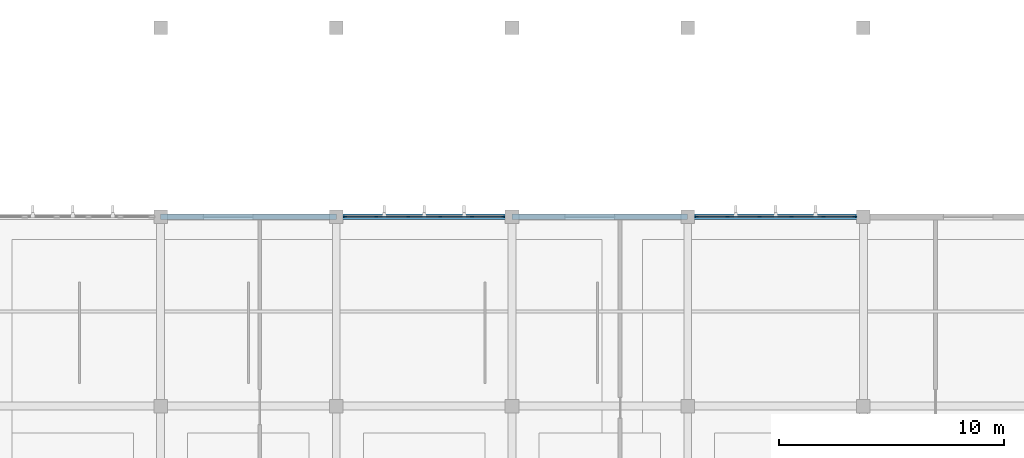
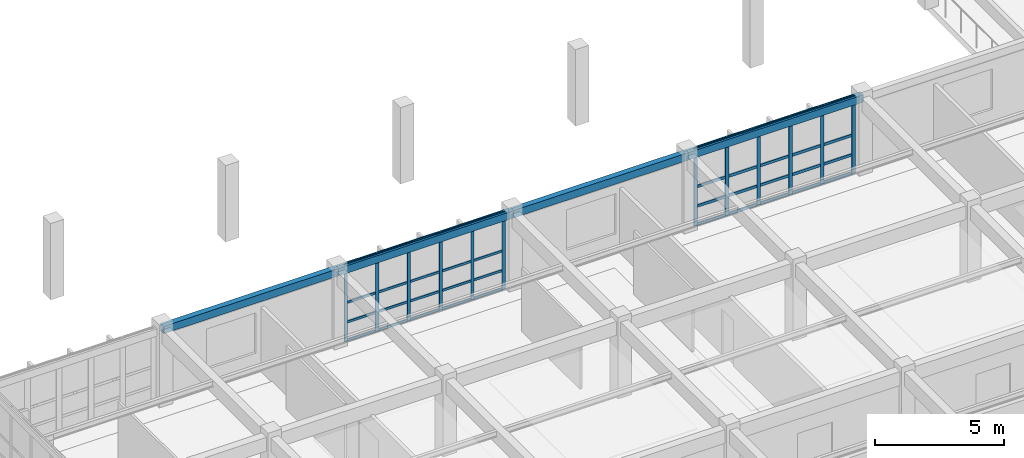
# One storey, part 11 of 67: 52 members, 4 beams, 2 elements without a shape of their own.
"""IFC4 building model written with IfcOpenShell, lengths in metres."""

from ifc_helpers import new_model, si_unit, direction, frame, origin, origin_2d, place, context, subcontext, project, spatial, rectangle, hollow_rectangle, extrude, material, material_profile, profile_set, type_object, element, aggregate, save


model = new_model("IFC4")

# Units and contexts
model_context = context("Model", 3, precision=1e-05, world=origin(), true_north=direction((0.0, 1.0)))
body_context = subcontext(model_context, "Body", "Model", "MODEL_VIEW")
ifc_project = project(units=[si_unit("LENGTHUNIT", "METRE"), si_unit("AREAUNIT", "SQUARE_METRE"), si_unit("VOLUMEUNIT", "CUBIC_METRE"), si_unit("PLANEANGLEUNIT", "RADIAN"), si_unit("MASSUNIT", "GRAM", prefix="KILO")], contexts=[model_context])

# Site, building, storey
site_placement = place(None, origin())
site = spatial("IfcSite", under=ifc_project, at=site_placement, CompositionType="ELEMENT")
building_placement = place(site_placement, origin())
building = spatial("IfcBuilding", under=site, at=building_placement, Name="Tizgana Railside Sports Hall", CompositionType="ELEMENT")
storey_placement = place(building_placement, frame((0.0, 0.0, 12.0)))
storey = spatial("IfcBuildingStorey", under=building, at=storey_placement, Name="L02", CompositionType="ELEMENT", Elevation=12.0)

# Curtain wall, members
ifc_material_1 = material(Name="Anodised aluminium and glass", Category="aluminium")
curtain_wall_type_1 = type_object("IfcCurtainWallType", Name="Unitised Curtain Wall Clinic 1200", PredefinedType="NOTDEFINED", material=ifc_material_1)
curtain_wall_1_placement = place(storey_placement, origin())
curtain_wall_1 = element("IfcCurtainWall", 1, at=curtain_wall_1_placement, inside=storey, type_object=curtain_wall_type_1, Name="L02 Curtain Wall CW-0108", PredefinedType="NOTDEFINED")
ifc_material_2 = material(Name="Anodised aluminium", Category="aluminium")
ifc_material_profile_1 = material_profile(ifc_material_2, rectangle(XDim=0.06005859375, YDim=0.139892578125, at=origin_2d()), Name="Mullion 60x140")
ifc_profile_set_1 = profile_set([ifc_material_profile_1], Name="Anodised aluminium")
member_type_1 = type_object("IfcMemberType", Name="Mullion 60x140", PredefinedType="MULLION", material=ifc_profile_set_1)
member_1_placement = place(storey_placement, frame((23.784912109375, 32.39990234375, 0.0), z_axis=(0.0, 0.0, 1.0), x_axis=(0.0, 1.0, 0.0)))
member_1 = element("IfcMember", 2, at=member_1_placement, type_object=member_type_1, Name="CW-05 mullion 1", PredefinedType="MULLION", context=body_context, shape_type="SweptSolid", body=[
    extrude(rectangle(XDim=0.06005859375, YDim=0.139892578125, at=origin_2d()), origin(), (0.0, 0.0, 1.0), 3.639892578125),
])
member_2_placement = place(storey_placement, frame((25.173095703125, 32.39990234375, 0.0), z_axis=(0.0, 0.0, 1.0), x_axis=(0.0, 1.0, 0.0)))
member_2 = element("IfcMember", 3, at=member_2_placement, type_object=member_type_1, Name="CW-05 mullion 2", PredefinedType="MULLION", context=body_context, shape_type="SweptSolid", body=[
    extrude(rectangle(XDim=0.06005859375, YDim=0.139892578125, at=origin_2d()), origin(), (0.0, 0.0, 1.0), 3.639892578125),
])
member_3_placement = place(storey_placement, frame((26.591064453125, 32.39990234375, 0.0), z_axis=(0.0, 0.0, 1.0), x_axis=(0.0, 1.0, 0.0)))
member_3 = element("IfcMember", 4, at=member_3_placement, type_object=member_type_1, Name="CW-05 mullion 3", PredefinedType="MULLION", context=body_context, shape_type="SweptSolid", body=[
    extrude(rectangle(XDim=0.06005859375, YDim=0.139892578125, at=origin_2d()), origin(), (0.0, 0.0, 1.0), 3.639892578125),
])
member_4_placement = place(storey_placement, frame((28.009033203125, 32.39990234375, 0.0), z_axis=(0.0, 0.0, 1.0), x_axis=(0.0, 1.0, 0.0)))
member_4 = element("IfcMember", 5, at=member_4_placement, type_object=member_type_1, Name="CW-05 mullion 4", PredefinedType="MULLION", context=body_context, shape_type="SweptSolid", body=[
    extrude(rectangle(XDim=0.06005859375, YDim=0.139892578125, at=origin_2d()), origin(), (0.0, 0.0, 1.0), 3.639892578125),
])
member_5_placement = place(storey_placement, frame((29.427001953125, 32.39990234375, 0.0), z_axis=(0.0, 0.0, 1.0), x_axis=(0.0, 1.0, 0.0)))
member_5 = element("IfcMember", 6, at=member_5_placement, type_object=member_type_1, Name="CW-05 mullion 5", PredefinedType="MULLION", context=body_context, shape_type="SweptSolid", body=[
    extrude(rectangle(XDim=0.06005859375, YDim=0.139892578125, at=origin_2d()), origin(), (0.0, 0.0, 1.0), 3.639892578125),
])
member_6_placement = place(storey_placement, frame((30.81494140625, 32.39990234375, 0.0), z_axis=(0.0, 0.0, 1.0), x_axis=(0.0, 1.0, 0.0)))
member_6 = element("IfcMember", 7, at=member_6_placement, type_object=member_type_1, Name="CW-05 mullion 6", PredefinedType="MULLION", context=body_context, shape_type="SweptSolid", body=[
    extrude(rectangle(XDim=0.06005859375, YDim=0.139892578125, at=origin_2d()), origin(), (0.0, 0.0, 1.0), 3.639892578125),
])

curtain_wall_type_2 = type_object("IfcCurtainWallType", Name="Unitised Curtain Wall Passage 1800", PredefinedType="NOTDEFINED", material=ifc_material_1)
curtain_wall_2_placement = place(storey_placement, origin())
curtain_wall_2 = element("IfcCurtainWall", 8, at=curtain_wall_2_placement, inside=storey, type_object=curtain_wall_type_2, Name="L02 Curtain Wall CW-0109", PredefinedType="NOTDEFINED")
ifc_material_profile_2 = material_profile(ifc_material_2, rectangle(XDim=0.06005859375, YDim=0.159912109375, at=origin_2d()), Name="Mullion 60x160")
ifc_profile_set_2 = profile_set([ifc_material_profile_2], Name="Anodised aluminium")
member_type_2 = type_object("IfcMemberType", Name="Mullion 60x160", PredefinedType="MULLION", material=ifc_profile_set_2)
member_7_placement = place(storey_placement, frame((39.385009765625, 32.39990234375, 0.0), z_axis=(0.0, 0.0, 1.0), x_axis=(0.0, 1.0, 0.0)))
member_7 = element("IfcMember", 9, at=member_7_placement, type_object=member_type_2, Name="CW-06 mullion 1", PredefinedType="MULLION", context=body_context, shape_type="SweptSolid", body=[
    extrude(rectangle(XDim=0.06005859375, YDim=0.159912109375, at=origin_2d()), origin(), (0.0, 0.0, 1.0), 3.639892578125),
])
member_8_placement = place(storey_placement, frame((40.77294921875, 32.39990234375, 0.0), z_axis=(0.0, 0.0, 1.0), x_axis=(0.0, 1.0, 0.0)))
member_8 = element("IfcMember", 10, at=member_8_placement, type_object=member_type_2, Name="CW-06 mullion 2", PredefinedType="MULLION", context=body_context, shape_type="SweptSolid", body=[
    extrude(rectangle(XDim=0.06005859375, YDim=0.159912109375, at=origin_2d()), origin(), (0.0, 0.0, 1.0), 3.639892578125),
])
member_9_placement = place(storey_placement, frame((42.19091796875, 32.39990234375, 0.0), z_axis=(0.0, 0.0, 1.0), x_axis=(0.0, 1.0, 0.0)))
member_9 = element("IfcMember", 11, at=member_9_placement, type_object=member_type_2, Name="CW-06 mullion 3", PredefinedType="MULLION", context=body_context, shape_type="SweptSolid", body=[
    extrude(rectangle(XDim=0.06005859375, YDim=0.159912109375, at=origin_2d()), origin(), (0.0, 0.0, 1.0), 3.639892578125),
])
member_10_placement = place(storey_placement, frame((43.60888671875, 32.39990234375, 0.0), z_axis=(0.0, 0.0, 1.0), x_axis=(0.0, 1.0, 0.0)))
member_10 = element("IfcMember", 12, at=member_10_placement, type_object=member_type_2, Name="CW-06 mullion 4", PredefinedType="MULLION", context=body_context, shape_type="SweptSolid", body=[
    extrude(rectangle(XDim=0.06005859375, YDim=0.159912109375, at=origin_2d()), origin(), (0.0, 0.0, 1.0), 3.639892578125),
])
member_11_placement = place(storey_placement, frame((45.027099609375, 32.39990234375, 0.0), z_axis=(0.0, 0.0, 1.0), x_axis=(0.0, 1.0, 0.0)))
member_11 = element("IfcMember", 13, at=member_11_placement, type_object=member_type_2, Name="CW-06 mullion 5", PredefinedType="MULLION", context=body_context, shape_type="SweptSolid", body=[
    extrude(rectangle(XDim=0.06005859375, YDim=0.159912109375, at=origin_2d()), origin(), (0.0, 0.0, 1.0), 3.639892578125),
])
member_12_placement = place(storey_placement, frame((46.4150390625, 32.39990234375, 0.0), z_axis=(0.0, 0.0, 1.0), x_axis=(0.0, 1.0, 0.0)))
member_12 = element("IfcMember", 14, at=member_12_placement, type_object=member_type_2, Name="CW-06 mullion 6", PredefinedType="MULLION", context=body_context, shape_type="SweptSolid", body=[
    extrude(rectangle(XDim=0.06005859375, YDim=0.159912109375, at=origin_2d()), origin(), (0.0, 0.0, 1.0), 3.639892578125),
])

# Beams
ifc_material_3 = material(Name="Steel S355J2", Category="steel")
ifc_material_profile_3 = material_profile(ifc_material_3, hollow_rectangle(XDim=0.25, YDim=0.35009765625, WallThickness=0.011962890625, at=origin_2d()), Name="RHS 350x250x12")
ifc_profile_set_3 = profile_set([ifc_material_profile_3], Name="Steel S355J2")
beam_type = type_object("IfcBeamType", Name="Steel Spandrel RHS 350x250x12", PredefinedType="SPANDREL", material=ifc_profile_set_3)
beam_placement = place(storey_placement, frame((15.60009765625, 32.39990234375, 3.4609375), z_axis=(1.0, 0.0, 0.0), x_axis=(0.0, 1.0, 0.0)))
element("IfcBeam", 15, at=beam_placement, inside=storey, type_object=beam_type, Name="L02 BEM-0644", PredefinedType="SPANDREL", context=body_context, shape_type="SweptSolid", body=[
    extrude(hollow_rectangle(XDim=0.25, YDim=0.35009765625, WallThickness=0.011962890625, at=origin_2d()), origin(), (0.0, 0.0, 1.0), 7.7998046875),
])
for number, where, z_axis, x_axis, name in (
    (16, (23.39990234375, 32.39990234375, 3.4609375), (1.0, 0.0, 0.0), (0.0, 1.0, 0.0), "L02 BEM-0652"),
    (17, (31.199951171875, 32.39990234375, 3.4609375), (1.0, 0.0, 0.0), (0.0, 1.0, 0.0), "L02 BEM-0661"),
    (18, (39.0, 32.39990234375, 3.4609375), (1.0, 0.0, 0.0), (0.0, 1.0, 0.0), "L02 BEM-0669"),
):
    element("IfcBeam", number, at=place(storey_placement, frame(where, z_axis=z_axis, x_axis=x_axis)), inside=storey, type_object=beam_type, Name=name, PredefinedType="SPANDREL", context=body_context, shape_type="SweptSolid", body=[
        extrude(hollow_rectangle(XDim=0.25, YDim=0.35009765625, WallThickness=0.011962890625, at=origin_2d()), origin(), (0.0, 0.0, 1.0), 7.800048828125),
    ])

# Member
ifc_material_profile_4 = material_profile(ifc_material_2, rectangle(XDim=0.06005859375, YDim=0.110107421875, at=origin_2d()), Name="Transom 60x110")
ifc_profile_set_4 = profile_set([ifc_material_profile_4], Name="Anodised aluminium")
member_type_3 = type_object("IfcMemberType", Name="Transom 60x110", PredefinedType="USERDEFINED", material=ifc_profile_set_4)
member_13_placement = place(storey_placement, frame((23.81494140625, 32.39990234375, 0.030029296875), z_axis=(1.0, 0.0, 0.0), x_axis=(0.0, 1.0, 0.0)))
member_13 = element("IfcMember", 19, at=member_13_placement, type_object=member_type_3, Name="CW-05 transom 1.1", ObjectType="TRANSOM", PredefinedType="USERDEFINED", context=body_context, shape_type="SweptSolid", body=[
    extrude(rectangle(XDim=0.06005859375, YDim=0.110107421875, at=origin_2d()), origin(), (0.0, 0.0, 1.0), 1.328125),
])

member_14_placement = place(storey_placement, frame((23.81494140625, 32.39990234375, 0.89990234375), z_axis=(1.0, 0.0, 0.0), x_axis=(0.0, 1.0, 0.0)))
member_14 = element("IfcMember", 20, at=member_14_placement, type_object=member_type_3, Name="CW-05 transom 1.2", ObjectType="TRANSOM", PredefinedType="USERDEFINED", context=body_context, shape_type="SweptSolid", body=[
    extrude(rectangle(XDim=0.06005859375, YDim=0.110107421875, at=origin_2d()), origin(), (0.0, 0.0, 1.0), 1.328125),
])

member_15_placement = place(storey_placement, frame((23.81494140625, 32.39990234375, 1.820068359375), z_axis=(1.0, 0.0, 0.0), x_axis=(0.0, 1.0, 0.0)))
member_15 = element("IfcMember", 21, at=member_15_placement, type_object=member_type_3, Name="CW-05 transom 1.3", ObjectType="TRANSOM", PredefinedType="USERDEFINED", context=body_context, shape_type="SweptSolid", body=[
    extrude(rectangle(XDim=0.06005859375, YDim=0.110107421875, at=origin_2d()), origin(), (0.0, 0.0, 1.0), 1.328125),
])

member_16_placement = place(storey_placement, frame((23.81494140625, 32.39990234375, 3.610107421875), z_axis=(1.0, 0.0, 0.0), x_axis=(0.0, 1.0, 0.0)))
member_16 = element("IfcMember", 22, at=member_16_placement, type_object=member_type_3, Name="CW-05 transom 1.4", ObjectType="TRANSOM", PredefinedType="USERDEFINED", context=body_context, shape_type="SweptSolid", body=[
    extrude(rectangle(XDim=0.06005859375, YDim=0.110107421875, at=origin_2d()), origin(), (0.0, 0.0, 1.0), 1.328125),
])

member_17_placement = place(storey_placement, frame((25.202880859375, 32.39990234375, 0.030029296875), z_axis=(1.0, 0.0, 0.0), x_axis=(0.0, 1.0, 0.0)))
member_17 = element("IfcMember", 23, at=member_17_placement, type_object=member_type_3, Name="CW-05 transom 2.1", ObjectType="TRANSOM", PredefinedType="USERDEFINED", context=body_context, shape_type="SweptSolid", body=[
    extrude(rectangle(XDim=0.06005859375, YDim=0.110107421875, at=origin_2d()), origin(), (0.0, 0.0, 1.0), 1.358154296875),
])

member_18_placement = place(storey_placement, frame((25.202880859375, 32.39990234375, 0.89990234375), z_axis=(1.0, 0.0, 0.0), x_axis=(0.0, 1.0, 0.0)))
member_18 = element("IfcMember", 24, at=member_18_placement, type_object=member_type_3, Name="CW-05 transom 2.2", ObjectType="TRANSOM", PredefinedType="USERDEFINED", context=body_context, shape_type="SweptSolid", body=[
    extrude(rectangle(XDim=0.06005859375, YDim=0.110107421875, at=origin_2d()), origin(), (0.0, 0.0, 1.0), 1.358154296875),
])

member_19_placement = place(storey_placement, frame((25.202880859375, 32.39990234375, 1.820068359375), z_axis=(1.0, 0.0, 0.0), x_axis=(0.0, 1.0, 0.0)))
member_19 = element("IfcMember", 25, at=member_19_placement, type_object=member_type_3, Name="CW-05 transom 2.3", ObjectType="TRANSOM", PredefinedType="USERDEFINED", context=body_context, shape_type="SweptSolid", body=[
    extrude(rectangle(XDim=0.06005859375, YDim=0.110107421875, at=origin_2d()), origin(), (0.0, 0.0, 1.0), 1.358154296875),
])

member_20_placement = place(storey_placement, frame((25.202880859375, 32.39990234375, 3.610107421875), z_axis=(1.0, 0.0, 0.0), x_axis=(0.0, 1.0, 0.0)))
member_20 = element("IfcMember", 26, at=member_20_placement, type_object=member_type_3, Name="CW-05 transom 2.4", ObjectType="TRANSOM", PredefinedType="USERDEFINED", context=body_context, shape_type="SweptSolid", body=[
    extrude(rectangle(XDim=0.06005859375, YDim=0.110107421875, at=origin_2d()), origin(), (0.0, 0.0, 1.0), 1.358154296875),
])

member_21_placement = place(storey_placement, frame((26.62109375, 32.39990234375, 0.030029296875), z_axis=(1.0, 0.0, 0.0), x_axis=(0.0, 1.0, 0.0)))
member_21 = element("IfcMember", 27, at=member_21_placement, type_object=member_type_3, Name="CW-05 transom 3.1", ObjectType="TRANSOM", PredefinedType="USERDEFINED", context=body_context, shape_type="SweptSolid", body=[
    extrude(rectangle(XDim=0.06005859375, YDim=0.110107421875, at=origin_2d()), origin(), (0.0, 0.0, 1.0), 1.35791015625),
])

member_22_placement = place(storey_placement, frame((26.62109375, 32.39990234375, 0.89990234375), z_axis=(1.0, 0.0, 0.0), x_axis=(0.0, 1.0, 0.0)))
member_22 = element("IfcMember", 28, at=member_22_placement, type_object=member_type_3, Name="CW-05 transom 3.2", ObjectType="TRANSOM", PredefinedType="USERDEFINED", context=body_context, shape_type="SweptSolid", body=[
    extrude(rectangle(XDim=0.06005859375, YDim=0.110107421875, at=origin_2d()), origin(), (0.0, 0.0, 1.0), 1.35791015625),
])

member_23_placement = place(storey_placement, frame((26.62109375, 32.39990234375, 1.820068359375), z_axis=(1.0, 0.0, 0.0), x_axis=(0.0, 1.0, 0.0)))
member_23 = element("IfcMember", 29, at=member_23_placement, type_object=member_type_3, Name="CW-05 transom 3.3", ObjectType="TRANSOM", PredefinedType="USERDEFINED", context=body_context, shape_type="SweptSolid", body=[
    extrude(rectangle(XDim=0.06005859375, YDim=0.110107421875, at=origin_2d()), origin(), (0.0, 0.0, 1.0), 1.35791015625),
])

member_24_placement = place(storey_placement, frame((26.62109375, 32.39990234375, 3.610107421875), z_axis=(1.0, 0.0, 0.0), x_axis=(0.0, 1.0, 0.0)))
member_24 = element("IfcMember", 30, at=member_24_placement, type_object=member_type_3, Name="CW-05 transom 3.4", ObjectType="TRANSOM", PredefinedType="USERDEFINED", context=body_context, shape_type="SweptSolid", body=[
    extrude(rectangle(XDim=0.06005859375, YDim=0.110107421875, at=origin_2d()), origin(), (0.0, 0.0, 1.0), 1.35791015625),
])

member_25_placement = place(storey_placement, frame((28.0390625, 32.39990234375, 0.030029296875), z_axis=(1.0, 0.0, 0.0), x_axis=(0.0, 1.0, 0.0)))
member_25 = element("IfcMember", 31, at=member_25_placement, type_object=member_type_3, Name="CW-05 transom 4.1", ObjectType="TRANSOM", PredefinedType="USERDEFINED", context=body_context, shape_type="SweptSolid", body=[
    extrude(rectangle(XDim=0.06005859375, YDim=0.110107421875, at=origin_2d()), origin(), (0.0, 0.0, 1.0), 1.35791015625),
])

member_26_placement = place(storey_placement, frame((28.0390625, 32.39990234375, 0.89990234375), z_axis=(1.0, 0.0, 0.0), x_axis=(0.0, 1.0, 0.0)))
member_26 = element("IfcMember", 32, at=member_26_placement, type_object=member_type_3, Name="CW-05 transom 4.2", ObjectType="TRANSOM", PredefinedType="USERDEFINED", context=body_context, shape_type="SweptSolid", body=[
    extrude(rectangle(XDim=0.06005859375, YDim=0.110107421875, at=origin_2d()), origin(), (0.0, 0.0, 1.0), 1.35791015625),
])

member_27_placement = place(storey_placement, frame((28.0390625, 32.39990234375, 1.820068359375), z_axis=(1.0, 0.0, 0.0), x_axis=(0.0, 1.0, 0.0)))
member_27 = element("IfcMember", 33, at=member_27_placement, type_object=member_type_3, Name="CW-05 transom 4.3", ObjectType="TRANSOM", PredefinedType="USERDEFINED", context=body_context, shape_type="SweptSolid", body=[
    extrude(rectangle(XDim=0.06005859375, YDim=0.110107421875, at=origin_2d()), origin(), (0.0, 0.0, 1.0), 1.35791015625),
])

member_28_placement = place(storey_placement, frame((28.0390625, 32.39990234375, 3.610107421875), z_axis=(1.0, 0.0, 0.0), x_axis=(0.0, 1.0, 0.0)))
member_28 = element("IfcMember", 34, at=member_28_placement, type_object=member_type_3, Name="CW-05 transom 4.4", ObjectType="TRANSOM", PredefinedType="USERDEFINED", context=body_context, shape_type="SweptSolid", body=[
    extrude(rectangle(XDim=0.06005859375, YDim=0.110107421875, at=origin_2d()), origin(), (0.0, 0.0, 1.0), 1.35791015625),
])

member_29_placement = place(storey_placement, frame((29.45703125, 32.39990234375, 0.030029296875), z_axis=(1.0, 0.0, 0.0), x_axis=(0.0, 1.0, 0.0)))
member_29 = element("IfcMember", 35, at=member_29_placement, type_object=member_type_3, Name="CW-05 transom 5.1", ObjectType="TRANSOM", PredefinedType="USERDEFINED", context=body_context, shape_type="SweptSolid", body=[
    extrude(rectangle(XDim=0.06005859375, YDim=0.110107421875, at=origin_2d()), origin(), (0.0, 0.0, 1.0), 1.327880859375),
])

member_30_placement = place(storey_placement, frame((29.45703125, 32.39990234375, 0.89990234375), z_axis=(1.0, 0.0, 0.0), x_axis=(0.0, 1.0, 0.0)))
member_30 = element("IfcMember", 36, at=member_30_placement, type_object=member_type_3, Name="CW-05 transom 5.2", ObjectType="TRANSOM", PredefinedType="USERDEFINED", context=body_context, shape_type="SweptSolid", body=[
    extrude(rectangle(XDim=0.06005859375, YDim=0.110107421875, at=origin_2d()), origin(), (0.0, 0.0, 1.0), 1.327880859375),
])

member_31_placement = place(storey_placement, frame((29.45703125, 32.39990234375, 1.820068359375), z_axis=(1.0, 0.0, 0.0), x_axis=(0.0, 1.0, 0.0)))
member_31 = element("IfcMember", 37, at=member_31_placement, type_object=member_type_3, Name="CW-05 transom 5.3", ObjectType="TRANSOM", PredefinedType="USERDEFINED", context=body_context, shape_type="SweptSolid", body=[
    extrude(rectangle(XDim=0.06005859375, YDim=0.110107421875, at=origin_2d()), origin(), (0.0, 0.0, 1.0), 1.327880859375),
])

member_32_placement = place(storey_placement, frame((29.45703125, 32.39990234375, 3.610107421875), z_axis=(1.0, 0.0, 0.0), x_axis=(0.0, 1.0, 0.0)))
member_32 = element("IfcMember", 38, at=member_32_placement, type_object=member_type_3, Name="CW-05 transom 5.4", ObjectType="TRANSOM", PredefinedType="USERDEFINED", context=body_context, shape_type="SweptSolid", body=[
    extrude(rectangle(XDim=0.06005859375, YDim=0.110107421875, at=origin_2d()), origin(), (0.0, 0.0, 1.0), 1.327880859375),
])

aggregate(curtain_wall_1, [member_1, member_2, member_3, member_4, member_5, member_6, member_13, member_14, member_15, member_16, member_17, member_18, member_19, member_20, member_21, member_22, member_23, member_24, member_25, member_26, member_27, member_28, member_29, member_30, member_31, member_32])

ifc_material_profile_5 = material_profile(ifc_material_2, rectangle(XDim=0.06005859375, YDim=0.1298828125, at=origin_2d()), Name="Transom 60x130")
ifc_profile_set_5 = profile_set([ifc_material_profile_5], Name="Anodised aluminium")
member_type_4 = type_object("IfcMemberType", Name="Transom 60x130", PredefinedType="USERDEFINED", material=ifc_profile_set_5)
member_33_placement = place(storey_placement, frame((39.4150390625, 32.39990234375, 0.030029296875), z_axis=(1.0, 0.0, 0.0), x_axis=(0.0, 1.0, 0.0)))
member_33 = element("IfcMember", 39, at=member_33_placement, type_object=member_type_4, Name="CW-06 transom 1.1", ObjectType="TRANSOM", PredefinedType="USERDEFINED", context=body_context, shape_type="SweptSolid", body=[
    extrude(rectangle(XDim=0.06005859375, YDim=0.1298828125, at=origin_2d()), origin(), (0.0, 0.0, 1.0), 1.327880859375),
])

member_34_placement = place(storey_placement, frame((39.4150390625, 32.39990234375, 0.89990234375), z_axis=(1.0, 0.0, 0.0), x_axis=(0.0, 1.0, 0.0)))
member_34 = element("IfcMember", 40, at=member_34_placement, type_object=member_type_4, Name="CW-06 transom 1.2", ObjectType="TRANSOM", PredefinedType="USERDEFINED", context=body_context, shape_type="SweptSolid", body=[
    extrude(rectangle(XDim=0.06005859375, YDim=0.1298828125, at=origin_2d()), origin(), (0.0, 0.0, 1.0), 1.327880859375),
])

member_35_placement = place(storey_placement, frame((39.4150390625, 32.39990234375, 1.820068359375), z_axis=(1.0, 0.0, 0.0), x_axis=(0.0, 1.0, 0.0)))
member_35 = element("IfcMember", 41, at=member_35_placement, type_object=member_type_4, Name="CW-06 transom 1.3", ObjectType="TRANSOM", PredefinedType="USERDEFINED", context=body_context, shape_type="SweptSolid", body=[
    extrude(rectangle(XDim=0.06005859375, YDim=0.1298828125, at=origin_2d()), origin(), (0.0, 0.0, 1.0), 1.327880859375),
])

member_36_placement = place(storey_placement, frame((39.4150390625, 32.39990234375, 3.610107421875), z_axis=(1.0, 0.0, 0.0), x_axis=(0.0, 1.0, 0.0)))
member_36 = element("IfcMember", 42, at=member_36_placement, type_object=member_type_4, Name="CW-06 transom 1.4", ObjectType="TRANSOM", PredefinedType="USERDEFINED", context=body_context, shape_type="SweptSolid", body=[
    extrude(rectangle(XDim=0.06005859375, YDim=0.1298828125, at=origin_2d()), origin(), (0.0, 0.0, 1.0), 1.327880859375),
])

member_37_placement = place(storey_placement, frame((40.802978515625, 32.39990234375, 0.030029296875), z_axis=(1.0, 0.0, 0.0), x_axis=(0.0, 1.0, 0.0)))
member_37 = element("IfcMember", 43, at=member_37_placement, type_object=member_type_4, Name="CW-06 transom 2.1", ObjectType="TRANSOM", PredefinedType="USERDEFINED", context=body_context, shape_type="SweptSolid", body=[
    extrude(rectangle(XDim=0.06005859375, YDim=0.1298828125, at=origin_2d()), origin(), (0.0, 0.0, 1.0), 1.35791015625),
])

member_38_placement = place(storey_placement, frame((40.802978515625, 32.39990234375, 0.89990234375), z_axis=(1.0, 0.0, 0.0), x_axis=(0.0, 1.0, 0.0)))
member_38 = element("IfcMember", 44, at=member_38_placement, type_object=member_type_4, Name="CW-06 transom 2.2", ObjectType="TRANSOM", PredefinedType="USERDEFINED", context=body_context, shape_type="SweptSolid", body=[
    extrude(rectangle(XDim=0.06005859375, YDim=0.1298828125, at=origin_2d()), origin(), (0.0, 0.0, 1.0), 1.35791015625),
])

member_39_placement = place(storey_placement, frame((40.802978515625, 32.39990234375, 1.820068359375), z_axis=(1.0, 0.0, 0.0), x_axis=(0.0, 1.0, 0.0)))
member_39 = element("IfcMember", 45, at=member_39_placement, type_object=member_type_4, Name="CW-06 transom 2.3", ObjectType="TRANSOM", PredefinedType="USERDEFINED", context=body_context, shape_type="SweptSolid", body=[
    extrude(rectangle(XDim=0.06005859375, YDim=0.1298828125, at=origin_2d()), origin(), (0.0, 0.0, 1.0), 1.35791015625),
])

member_40_placement = place(storey_placement, frame((40.802978515625, 32.39990234375, 3.610107421875), z_axis=(1.0, 0.0, 0.0), x_axis=(0.0, 1.0, 0.0)))
member_40 = element("IfcMember", 46, at=member_40_placement, type_object=member_type_4, Name="CW-06 transom 2.4", ObjectType="TRANSOM", PredefinedType="USERDEFINED", context=body_context, shape_type="SweptSolid", body=[
    extrude(rectangle(XDim=0.06005859375, YDim=0.1298828125, at=origin_2d()), origin(), (0.0, 0.0, 1.0), 1.35791015625),
])

member_41_placement = place(storey_placement, frame((42.220947265625, 32.39990234375, 0.030029296875), z_axis=(1.0, 0.0, 0.0), x_axis=(0.0, 1.0, 0.0)))
member_41 = element("IfcMember", 47, at=member_41_placement, type_object=member_type_4, Name="CW-06 transom 3.1", ObjectType="TRANSOM", PredefinedType="USERDEFINED", context=body_context, shape_type="SweptSolid", body=[
    extrude(rectangle(XDim=0.06005859375, YDim=0.1298828125, at=origin_2d()), origin(), (0.0, 0.0, 1.0), 1.358154296875),
])

member_42_placement = place(storey_placement, frame((42.220947265625, 32.39990234375, 0.89990234375), z_axis=(1.0, 0.0, 0.0), x_axis=(0.0, 1.0, 0.0)))
member_42 = element("IfcMember", 48, at=member_42_placement, type_object=member_type_4, Name="CW-06 transom 3.2", ObjectType="TRANSOM", PredefinedType="USERDEFINED", context=body_context, shape_type="SweptSolid", body=[
    extrude(rectangle(XDim=0.06005859375, YDim=0.1298828125, at=origin_2d()), origin(), (0.0, 0.0, 1.0), 1.358154296875),
])

member_43_placement = place(storey_placement, frame((42.220947265625, 32.39990234375, 1.820068359375), z_axis=(1.0, 0.0, 0.0), x_axis=(0.0, 1.0, 0.0)))
member_43 = element("IfcMember", 49, at=member_43_placement, type_object=member_type_4, Name="CW-06 transom 3.3", ObjectType="TRANSOM", PredefinedType="USERDEFINED", context=body_context, shape_type="SweptSolid", body=[
    extrude(rectangle(XDim=0.06005859375, YDim=0.1298828125, at=origin_2d()), origin(), (0.0, 0.0, 1.0), 1.358154296875),
])

member_44_placement = place(storey_placement, frame((42.220947265625, 32.39990234375, 3.610107421875), z_axis=(1.0, 0.0, 0.0), x_axis=(0.0, 1.0, 0.0)))
member_44 = element("IfcMember", 50, at=member_44_placement, type_object=member_type_4, Name="CW-06 transom 3.4", ObjectType="TRANSOM", PredefinedType="USERDEFINED", context=body_context, shape_type="SweptSolid", body=[
    extrude(rectangle(XDim=0.06005859375, YDim=0.1298828125, at=origin_2d()), origin(), (0.0, 0.0, 1.0), 1.358154296875),
])

member_45_placement = place(storey_placement, frame((43.638916015625, 32.39990234375, 0.030029296875), z_axis=(1.0, 0.0, 0.0), x_axis=(0.0, 1.0, 0.0)))
member_45 = element("IfcMember", 51, at=member_45_placement, type_object=member_type_4, Name="CW-06 transom 4.1", ObjectType="TRANSOM", PredefinedType="USERDEFINED", context=body_context, shape_type="SweptSolid", body=[
    extrude(rectangle(XDim=0.06005859375, YDim=0.1298828125, at=origin_2d()), origin(), (0.0, 0.0, 1.0), 1.358154296875),
])

member_46_placement = place(storey_placement, frame((43.638916015625, 32.39990234375, 0.89990234375), z_axis=(1.0, 0.0, 0.0), x_axis=(0.0, 1.0, 0.0)))
member_46 = element("IfcMember", 52, at=member_46_placement, type_object=member_type_4, Name="CW-06 transom 4.2", ObjectType="TRANSOM", PredefinedType="USERDEFINED", context=body_context, shape_type="SweptSolid", body=[
    extrude(rectangle(XDim=0.06005859375, YDim=0.1298828125, at=origin_2d()), origin(), (0.0, 0.0, 1.0), 1.358154296875),
])

member_47_placement = place(storey_placement, frame((43.638916015625, 32.39990234375, 1.820068359375), z_axis=(1.0, 0.0, 0.0), x_axis=(0.0, 1.0, 0.0)))
member_47 = element("IfcMember", 53, at=member_47_placement, type_object=member_type_4, Name="CW-06 transom 4.3", ObjectType="TRANSOM", PredefinedType="USERDEFINED", context=body_context, shape_type="SweptSolid", body=[
    extrude(rectangle(XDim=0.06005859375, YDim=0.1298828125, at=origin_2d()), origin(), (0.0, 0.0, 1.0), 1.358154296875),
])

member_48_placement = place(storey_placement, frame((43.638916015625, 32.39990234375, 3.610107421875), z_axis=(1.0, 0.0, 0.0), x_axis=(0.0, 1.0, 0.0)))
member_48 = element("IfcMember", 54, at=member_48_placement, type_object=member_type_4, Name="CW-06 transom 4.4", ObjectType="TRANSOM", PredefinedType="USERDEFINED", context=body_context, shape_type="SweptSolid", body=[
    extrude(rectangle(XDim=0.06005859375, YDim=0.1298828125, at=origin_2d()), origin(), (0.0, 0.0, 1.0), 1.358154296875),
])

member_49_placement = place(storey_placement, frame((45.056884765625, 32.39990234375, 0.030029296875), z_axis=(1.0, 0.0, 0.0), x_axis=(0.0, 1.0, 0.0)))
member_49 = element("IfcMember", 55, at=member_49_placement, type_object=member_type_4, Name="CW-06 transom 5.1", ObjectType="TRANSOM", PredefinedType="USERDEFINED", context=body_context, shape_type="SweptSolid", body=[
    extrude(rectangle(XDim=0.06005859375, YDim=0.1298828125, at=origin_2d()), origin(), (0.0, 0.0, 1.0), 1.328125),
])

member_50_placement = place(storey_placement, frame((45.056884765625, 32.39990234375, 0.89990234375), z_axis=(1.0, 0.0, 0.0), x_axis=(0.0, 1.0, 0.0)))
member_50 = element("IfcMember", 56, at=member_50_placement, type_object=member_type_4, Name="CW-06 transom 5.2", ObjectType="TRANSOM", PredefinedType="USERDEFINED", context=body_context, shape_type="SweptSolid", body=[
    extrude(rectangle(XDim=0.06005859375, YDim=0.1298828125, at=origin_2d()), origin(), (0.0, 0.0, 1.0), 1.328125),
])

member_51_placement = place(storey_placement, frame((45.056884765625, 32.39990234375, 1.820068359375), z_axis=(1.0, 0.0, 0.0), x_axis=(0.0, 1.0, 0.0)))
member_51 = element("IfcMember", 57, at=member_51_placement, type_object=member_type_4, Name="CW-06 transom 5.3", ObjectType="TRANSOM", PredefinedType="USERDEFINED", context=body_context, shape_type="SweptSolid", body=[
    extrude(rectangle(XDim=0.06005859375, YDim=0.1298828125, at=origin_2d()), origin(), (0.0, 0.0, 1.0), 1.328125),
])

member_52_placement = place(storey_placement, frame((45.056884765625, 32.39990234375, 3.610107421875), z_axis=(1.0, 0.0, 0.0), x_axis=(0.0, 1.0, 0.0)))
member_52 = element("IfcMember", 58, at=member_52_placement, type_object=member_type_4, Name="CW-06 transom 5.4", ObjectType="TRANSOM", PredefinedType="USERDEFINED", context=body_context, shape_type="SweptSolid", body=[
    extrude(rectangle(XDim=0.06005859375, YDim=0.1298828125, at=origin_2d()), origin(), (0.0, 0.0, 1.0), 1.328125),
])

aggregate(curtain_wall_2, [member_7, member_8, member_9, member_10, member_11, member_12, member_33, member_34, member_35, member_36, member_37, member_38, member_39, member_40, member_41, member_42, member_43, member_44, member_45, member_46, member_47, member_48, member_49, member_50, member_51, member_52])

save(model, "model.ifc")
